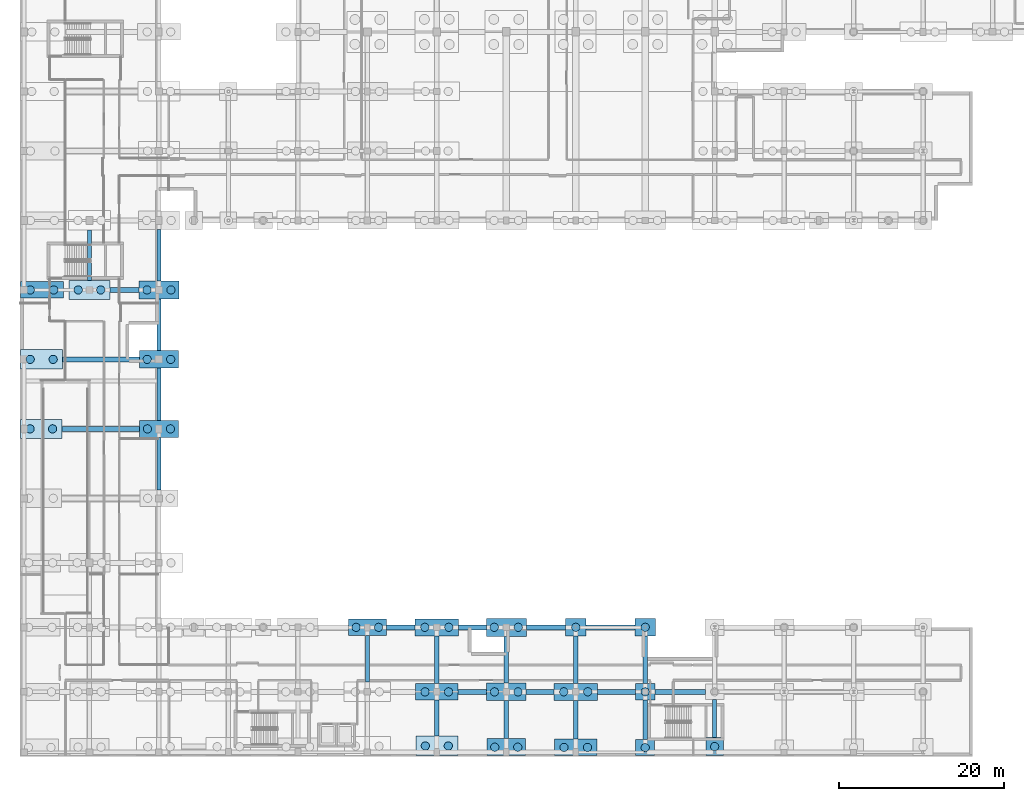
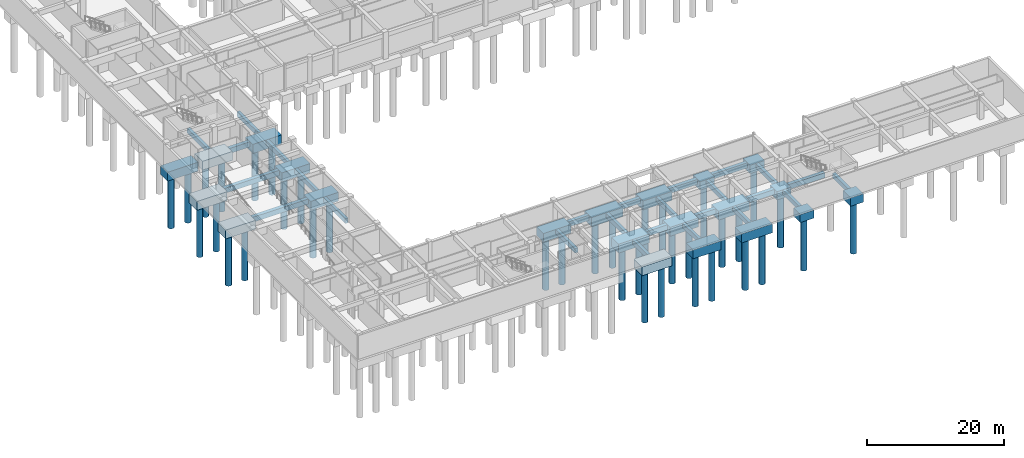
# One storey, part 2 of 42: 47 footings, 37 piles.
"""IFC4 building model written with IfcOpenShell, lengths in metres."""

import ifcopenshell
import ifcopenshell.guid

model = None  # the IFC model being written
_history = None  # IfcOwnerHistory: only IFC2X3 demands one
_inside = {}  # id of a spatial element -> (the spatial element, [elements in it])
_under = {}  # id of a project, library or spatial element -> (it, [spatial elements below it])
_declared = {}  # id of a project -> (the project, [libraries it declares])
_typed = {}  # id of a type object -> (the type object, [elements of that type])
_made_of = {}  # id of a material, layer set ... -> (it, [elements and type objects made of it])


def new_model(schema):
    """Start an empty IFC model of exactly this schema.

    Asked for "IFC4X3", IfcOpenShell would pick the latest addendum, in which some entities
    have other attributes; the version numbers below select the first issue.
    IFC2X3 requires an IfcOwnerHistory on every rooted entity: one is made here for all.
    """
    global model, _history
    if schema == "IFC4X3":
        model = ifcopenshell.file(schema_version=(4, 3, 0, 0))
    else:
        model = ifcopenshell.file(schema=schema)
    _inside.clear()
    _under.clear()
    _declared.clear()
    _typed.clear()
    _made_of.clear()
    _history = None
    if model.schema == "IFC2X3":
        org = make("IfcOrganization", Name="unknown")
        user = make(
            "IfcPersonAndOrganization",
            ThePerson=make("IfcPerson", FamilyName="unknown"),
            TheOrganization=org,
        )
        app = make(
            "IfcApplication",
            ApplicationDeveloper=org,
            Version="unknown",
            ApplicationFullName="unknown",
            ApplicationIdentifier="unknown",
        )
        _history = make(
            "IfcOwnerHistory",
            OwningUser=user,
            OwningApplication=app,
            ChangeAction="ADDED",
            CreationDate=0,
        )
    return model


def make(cls, **values):
    """One entity of the class cls with the attributes given. An attribute that is None is left unset."""
    return model.create_entity(
        cls, **{name: value for name, value in values.items() if value is not None}
    )


def rooted(cls, **values):
    """An entity with a GlobalId (a new one), such as an element, a storey or a relation."""
    return make(cls, GlobalId=ifcopenshell.guid.new(), OwnerHistory=_history, **values)


def si_unit(unit_type, name, prefix=None):
    """IfcSIUnit, for example si_unit("LENGTHUNIT", "METRE", prefix="MILLI")."""
    return make("IfcSIUnit", UnitType=unit_type, Prefix=prefix, Name=name)


def assignment(units):
    """IfcUnitAssignment: the units of a project."""
    return None if units is None else make("IfcUnitAssignment", Units=units)


def point(xyz):
    """IfcCartesianPoint."""
    return None if xyz is None else make("IfcCartesianPoint", Coordinates=xyz)


def direction(xyz):
    """IfcDirection."""
    return None if xyz is None else make("IfcDirection", DirectionRatios=xyz)


def frame(location, z_axis=None, x_axis=None):
    """IfcAxis2Placement3D, a coordinate frame: its origin and axes. An axis left out is left unset."""
    return make(
        "IfcAxis2Placement3D",
        Location=point(location),
        Axis=direction(z_axis),
        RefDirection=direction(x_axis),
    )


def frame_2d(location, x_axis=None):
    """IfcAxis2Placement2D, a coordinate frame in the plane: its origin and x axis."""
    return make(
        "IfcAxis2Placement2D", Location=point(location), RefDirection=direction(x_axis)
    )


def origin():
    """The frame at (0, 0, 0) with its axes left unset."""
    return frame((0.0, 0.0, 0.0))


def origin_2d():
    """The frame at (0, 0) in the plane with its x axis left unset."""
    return frame_2d((0.0, 0.0))


def place(relative_to, where):
    """IfcLocalPlacement: puts the frame where relative to a parent placement (None: the world)."""
    return make(
        "IfcLocalPlacement", PlacementRelTo=relative_to, RelativePlacement=where
    )


def context(
    kind, dimensions, precision=None, world=None, true_north=None, identifier=None
):
    """IfcGeometricRepresentationContext, for example the 3D "Model" context."""
    return make(
        "IfcGeometricRepresentationContext",
        ContextIdentifier=identifier,
        ContextType=kind,
        CoordinateSpaceDimension=dimensions,
        Precision=precision,
        WorldCoordinateSystem=world,
        TrueNorth=true_north,
    )


def subcontext(parent, identifier, kind, view, scale=None):
    """IfcGeometricRepresentationSubContext, for example "Body" below "Model"."""
    return make(
        "IfcGeometricRepresentationSubContext",
        ContextIdentifier=identifier,
        ContextType=kind,
        ParentContext=parent,
        TargetScale=scale,
        TargetView=view,
    )


def project(units=None, contexts=None):
    """IfcProject with its units and contexts."""
    return rooted(
        "IfcProject",
        Name="project",
        RepresentationContexts=contexts,
        UnitsInContext=assignment(units),
    )


def spatial(cls, under=None, at=None, **own):
    """A site, building, storey or space (cls), placed at a placement, below another one or the project."""
    s = rooted(cls, ObjectPlacement=at, **own)
    if under is not None:
        _under.setdefault(under.id(), (under, []))[1].append(s)
    return s


def profile(cls, at=None, kind="AREA", **sizes):
    """A parametric profile (cls). Its sizes go by their IFC names, for example OverallWidth=200.0."""
    return make(cls, ProfileType=kind, Position=at, **sizes)


def rectangle(**sizes):
    """IfcRectangleProfileDef."""
    return profile("IfcRectangleProfileDef", **sizes)


def circle(**sizes):
    """IfcCircleProfileDef."""
    return profile("IfcCircleProfileDef", **sizes)


def extrude(swept, where, along, depth):
    """IfcExtrudedAreaSolid: the profile swept, set in the frame where, extruded along a direction by depth."""
    return make(
        "IfcExtrudedAreaSolid",
        SweptArea=swept,
        Position=where,
        ExtrudedDirection=direction(along),
        Depth=depth,
    )


def shape(context_of_items, identifier, shape_type, items):
    """IfcShapeRepresentation: the items that make up one representation, for example the "Body"."""
    return make(
        "IfcShapeRepresentation",
        ContextOfItems=context_of_items,
        RepresentationIdentifier=identifier,
        RepresentationType=shape_type,
        Items=items,
    )


def material(Name=None, Category=None):
    """IfcMaterial."""
    return make("IfcMaterial", Name=Name, Category=Category)


def material_profile(
    of_material, cross_section, Name=None, Category=None, Priority=None
):
    """IfcMaterialProfile: a cross section and its material."""
    return make(
        "IfcMaterialProfile",
        Name=Name,
        Material=of_material,
        Profile=cross_section,
        Priority=Priority,
        Category=Category,
    )


def profile_set(profiles, Name=None, composite=None):
    """IfcMaterialProfileSet."""
    return make(
        "IfcMaterialProfileSet",
        Name=Name,
        MaterialProfiles=profiles,
        CompositeProfile=composite,
    )


def made_of(thing, what):
    """Note that an element or type object is made of a material, layer set ...; save() writes the relation."""
    if what is not None:
        _made_of.setdefault(what.id(), (what, []))[1].append(thing)
    return thing


def type_object(cls, material=None, **own):
    """A type object (cls), such as IfcWallType, which elements share."""
    return made_of(rooted(cls, **own), material)


def element(
    cls,
    number,
    at=None,
    inside=None,
    cuts=None,
    type_object=None,
    material=None,
    context=None,
    identifier="Body",
    shape_type=None,
    held_by="IfcProductDefinitionShape",
    body=None,
    shapes=None,
    **own,
):
    """One element of the class cls, such as IfcWall. Its Tag is "e" and its number.

    at: its placement. inside: the storey or other place that contains it. cuts: it is an
    opening in that element (IfcRelVoidsElement). A single representation is given by context,
    identifier, shape_type and body (its items); several are given by shapes. held_by: the class
    of the entity that holds the representations. save() writes the other relations.
    """
    e = rooted(cls, Tag="e%d" % number, ObjectPlacement=at, **own)
    if body is not None:
        shapes = [shape(context, identifier, shape_type, body)]
    if shapes is not None:
        e.Representation = make(held_by, Representations=shapes)
    if inside is not None:
        _inside.setdefault(inside.id(), (inside, []))[1].append(e)
    if cuts is not None:
        rooted(
            "IfcRelVoidsElement", RelatingBuildingElement=cuts, RelatedOpeningElement=e
        )
    if type_object is not None:
        _typed.setdefault(type_object.id(), (type_object, []))[1].append(e)
    return made_of(e, material)


def aggregate(whole, parts):
    """IfcRelAggregates: a whole, such as a stair, and the parts it consists of."""
    return rooted("IfcRelAggregates", RelatingObject=whole, RelatedObjects=parts)


def save(model, path):
    """Write the relations noted so far, then the file.

    IfcRelAggregates (storeys below a building ...), IfcRelContainedInSpatialStructure (elements
    in a storey), IfcRelDefinesByType, IfcRelAssociatesMaterial and IfcRelDeclares: one each for
    every whole, place, type object, material and project.
    """
    for whole, parts in _under.values():
        aggregate(whole, parts)
    for where, things in _inside.values():
        rooted(
            "IfcRelContainedInSpatialStructure",
            RelatedElements=things,
            RelatingStructure=where,
        )
    for kind, things in _typed.values():
        rooted("IfcRelDefinesByType", RelatedObjects=things, RelatingType=kind)
    for what, things in _made_of.values():
        rooted("IfcRelAssociatesMaterial", RelatedObjects=things, RelatingMaterial=what)
    for by, libraries in _declared.values():
        rooted("IfcRelDeclares", RelatingContext=by, RelatedDefinitions=libraries)
    model.write(path)


model = new_model("IFC4")

# Units and contexts
model_context = context("Model", 3, precision=1e-05, world=origin(), true_north=direction((0.0, 1.0)))
body_context = subcontext(model_context, "Body", "Model", "MODEL_VIEW")
ifc_project = project(units=[si_unit("LENGTHUNIT", "METRE"), si_unit("AREAUNIT", "SQUARE_METRE"), si_unit("VOLUMEUNIT", "CUBIC_METRE"), si_unit("PLANEANGLEUNIT", "RADIAN"), si_unit("MASSUNIT", "GRAM", prefix="KILO")], contexts=[model_context])

# Site, building, storey
site_placement = place(None, origin())
site = spatial("IfcSite", under=ifc_project, at=site_placement, CompositionType="ELEMENT")
building_placement = place(site_placement, origin())
building = spatial("IfcBuilding", under=site, at=building_placement, Name="Quendrovan Civic Courthouse", CompositionType="ELEMENT")
storey_placement = place(building_placement, frame((0.0, 0.0, -4.5)))
storey = spatial("IfcBuildingStorey", under=building, at=storey_placement, Name="B1", CompositionType="ELEMENT", Elevation=-4.5)

# Footings
ifc_material = material(Name="Concrete C35/45", Category="concrete")
footing_type_1 = type_object("IfcFootingType", Name="FTG-PC1-214x220x149", PredefinedType="PILE_CAP", material=ifc_material)
footing_1_placement = place(storey_placement, frame((84.0, 1.179931640625, -1.7900390625), z_axis=(0.0, 0.0, 1.0), x_axis=(1.0, 0.0, 0.0)))
element("IfcFooting", 1, at=footing_1_placement, inside=storey, type_object=footing_type_1, Name="Pile Cap PC1-04 at 11-A", PredefinedType="PILE_CAP", context=body_context, shape_type="SweptSolid", body=[
    extrude(rectangle(XDim=2.139892578125, YDim=2.199951171875, at=origin_2d()), origin(), (0.0, 0.0, 1.0), 1.489990234375),
])
footing_type_2 = type_object("IfcFootingType", Name="FTG-PC1-229x196x143", PredefinedType="PILE_CAP", material=ifc_material)
footing_2_placement = place(storey_placement, frame((75.60009765625, 1.06005859375, -1.72998046875), z_axis=(0.0, 0.0, 1.0), x_axis=(1.0, 0.0, 0.0)))
element("IfcFooting", 2, at=footing_2_placement, inside=storey, type_object=footing_type_2, Name="Pile Cap PC1-06 at 10-A", PredefinedType="PILE_CAP", context=body_context, shape_type="SweptSolid", body=[
    extrude(rectangle(XDim=2.300048828125, YDim=1.9599609375, at=origin_2d()), origin(), (0.0, 0.0, 1.0), 1.429931640625),
])
footing_type_3 = type_object("IfcFootingType", Name="FTG-PC1-238x202x146", PredefinedType="PILE_CAP", material=ifc_material)
footing_3_placement = place(storey_placement, frame((75.60009765625, 7.800048828125, -1.760009765625), z_axis=(0.0, 0.0, 1.0), x_axis=(1.0, 0.0, 0.0)))
element("IfcFooting", 3, at=footing_3_placement, inside=storey, type_object=footing_type_3, Name="Pile Cap PC1-07 at 10-B", PredefinedType="PILE_CAP", context=body_context, shape_type="SweptSolid", body=[
    extrude(rectangle(XDim=2.3798828125, YDim=2.02001953125, at=origin_2d()), origin(), (0.0, 0.0, 1.0), 1.4599609375),
])
footing_type_4 = type_object("IfcFootingType", Name="FTG-PC1-246x208x149", PredefinedType="PILE_CAP", material=ifc_material)
for number, where, z_axis, x_axis, name in (
    (4, (67.199951171875, 15.60009765625, -1.7900390625), (0.0, 0.0, 1.0), (1.0, 0.0, 0.0), "Pile Cap PC1-08 at 9-C"),
    (5, (75.60009765625, 15.60009765625, -1.7900390625), (0.0, 0.0, 1.0), (1.0, 0.0, 0.0), "Pile Cap PC1-08 at 10-C"),
):
    element("IfcFooting", number, at=place(storey_placement, frame(where, z_axis=z_axis, x_axis=x_axis)), inside=storey, type_object=footing_type_4, Name=name, PredefinedType="PILE_CAP", context=body_context, shape_type="SweptSolid", body=[
        extrude(rectangle(XDim=2.4599609375, YDim=2.080078125, at=origin_2d()), origin(), (0.0, 0.0, 1.0), 1.489990234375),
    ])
footing_type_5 = type_object("IfcFootingType", Name="FTG-PC2-459x200x155", PredefinedType="PILE_CAP", material=ifc_material)
footing_4_placement = place(storey_placement, frame((42.0, 15.60009765625, -1.85009765625), z_axis=(0.0, 0.0, 1.0), x_axis=(1.0, 0.0, 0.0)))
element("IfcFooting", 6, at=footing_4_placement, inside=storey, type_object=footing_type_5, Name="Pile Cap PC2-01 at 6-C", PredefinedType="PILE_CAP", context=body_context, shape_type="SweptSolid", body=[
    extrude(rectangle(XDim=4.60009765625, YDim=2.0, at=origin_2d()), origin(), (0.0, 0.0, 1.0), 1.550048828125),
])
footing_type_6 = type_object("IfcFootingType", Name="FTG-PC2-468x206x157", PredefinedType="PILE_CAP", material=ifc_material)
for number, where, z_axis, x_axis, name in (
    (7, (16.800048828125, 39.60009765625, -1.8701171875), (0.0, 0.0, 1.0), (1.0, 0.0, 0.0), "Pile Cap PC2-02 at 3-F"),
    (8, (58.800048828125, 1.110107421875, -1.8701171875), (0.0, 0.0, 1.0), (1.0, 0.0, 0.0), "Pile Cap PC2-02 at 8-A"),
):
    element("IfcFooting", number, at=place(storey_placement, frame(where, z_axis=z_axis, x_axis=x_axis)), inside=storey, type_object=footing_type_6, Name=name, PredefinedType="PILE_CAP", context=body_context, shape_type="SweptSolid", body=[
        extrude(rectangle(XDim=4.679931640625, YDim=2.06005859375, at=origin_2d()), origin(), (0.0, 0.0, 1.0), 1.570068359375),
    ])
footing_type_7 = type_object("IfcFootingType", Name="FTG-PC2-476x212x159", PredefinedType="PILE_CAP", material=ifc_material)
for number, where, z_axis, x_axis, name in (
    (9, (16.800048828125, 48.0, -1.89013671875), (0.0, 0.0, 1.0), (1.0, 0.0, 0.0), "Pile Cap PC2-03 at 3-G"),
    (10, (58.800048828125, 7.800048828125, -1.89013671875), (0.0, 0.0, 1.0), (1.0, 0.0, 0.0), "Pile Cap PC2-03 at 8-B"),
):
    element("IfcFooting", number, at=place(storey_placement, frame(where, z_axis=z_axis, x_axis=x_axis)), inside=storey, type_object=footing_type_7, Name=name, PredefinedType="PILE_CAP", context=body_context, shape_type="SweptSolid", body=[
        extrude(rectangle(XDim=4.760009765625, YDim=2.1201171875, at=origin_2d()), origin(), (0.0, 0.0, 1.0), 1.590087890625),
    ])
footing_type_8 = type_object("IfcFootingType", Name="FTG-PC2-484x218x161", PredefinedType="PILE_CAP", material=ifc_material)
for number, where, z_axis, x_axis, name in (
    (11, (16.800048828125, 56.39990234375, -1.91015625), (0.0, 0.0, 1.0), (1.0, 0.0, 0.0), "Pile Cap PC2-04 at 3-H"),
    (12, (58.800048828125, 15.60009765625, -1.91015625), (0.0, 0.0, 1.0), (1.0, 0.0, 0.0), "Pile Cap PC2-04 at 8-C"),
):
    element("IfcFooting", number, at=place(storey_placement, frame(where, z_axis=z_axis, x_axis=x_axis)), inside=storey, type_object=footing_type_8, Name=name, PredefinedType="PILE_CAP", context=body_context, shape_type="SweptSolid", body=[
        extrude(rectangle(XDim=4.840087890625, YDim=2.179931640625, at=origin_2d()), origin(), (0.0, 0.0, 1.0), 1.610107421875),
    ])
footing_type_9 = type_object("IfcFootingType", Name="FTG-PC2-500x229x155", PredefinedType="PILE_CAP", material=ifc_material)
for number, where, z_axis, x_axis, name in (
    (13, (2.580078125, 39.60009765625, -1.85009765625), (0.0, 0.0, 1.0), (1.0, 0.0, 0.0), "Pile Cap PC2-06 at 1-F"),
    (14, (8.39990234375, 56.39990234375, -1.85009765625), (0.0, 0.0, 1.0), (1.0, 0.0, 0.0), "Pile Cap PC2-06 at 2-H"),
):
    element("IfcFooting", number, at=place(storey_placement, frame(where, z_axis=z_axis, x_axis=x_axis)), inside=storey, type_object=footing_type_9, Name=name, PredefinedType="PILE_CAP", context=body_context, shape_type="SweptSolid", body=[
        extrude(rectangle(XDim=5.0, YDim=2.300048828125, at=origin_2d()), origin(), (0.0, 0.0, 1.0), 1.550048828125),
    ])
footing_type_10 = type_object("IfcFootingType", Name="FTG-PC2-508x236x157", PredefinedType="PILE_CAP", material=ifc_material)
for number, where, z_axis, x_axis, name in (
    (15, (2.6201171875, 48.0, -1.8701171875), (0.0, 0.0, 1.0), (1.0, 0.0, 0.0), "Pile Cap PC2-07 at 1-G"),
    (16, (50.39990234375, 1.260009765625, -1.8701171875), (0.0, 0.0, 1.0), (1.0, 0.0, 0.0), "Pile Cap PC2-07 at 7-A"),
):
    element("IfcFooting", number, at=place(storey_placement, frame(where, z_axis=z_axis, x_axis=x_axis)), inside=storey, type_object=footing_type_10, Name=name, PredefinedType="PILE_CAP", context=body_context, shape_type="SweptSolid", body=[
        extrude(rectangle(XDim=5.080078125, YDim=2.360107421875, at=origin_2d()), origin(), (0.0, 0.0, 1.0), 1.570068359375),
    ])
footing_type_11 = type_object("IfcFootingType", Name="FTG-PC2-516x200x159", PredefinedType="PILE_CAP", material=ifc_material)
for number, where, z_axis, x_axis, name in (
    (17, (2.659912109375, 56.39990234375, -1.89013671875), (0.0, 0.0, 1.0), (1.0, 0.0, 0.0), "Pile Cap PC2-08 at 1-H"),
    (18, (50.39990234375, 7.800048828125, -1.89013671875), (0.0, 0.0, 1.0), (1.0, 0.0, 0.0), "Pile Cap PC2-08 at 7-B"),
    (19, (67.199951171875, 1.080078125, -1.89013671875), (0.0, 0.0, 1.0), (1.0, 0.0, 0.0), "Pile Cap PC2-08 at 9-A"),
):
    element("IfcFooting", number, at=place(storey_placement, frame(where, z_axis=z_axis, x_axis=x_axis)), inside=storey, type_object=footing_type_11, Name=name, PredefinedType="PILE_CAP", context=body_context, shape_type="SweptSolid", body=[
        extrude(rectangle(XDim=5.159912109375, YDim=2.0, at=origin_2d()), origin(), (0.0, 0.0, 1.0), 1.590087890625),
    ])
footing_type_12 = type_object("IfcFootingType", Name="FTG-PC2-524x206x161", PredefinedType="PILE_CAP", material=ifc_material)
for number, where, z_axis, x_axis, name in (
    (20, (50.39990234375, 15.60009765625, -1.91015625), (0.0, 0.0, 1.0), (1.0, 0.0, 0.0), "Pile Cap PC2-09 at 7-C"),
    (21, (67.199951171875, 7.800048828125, -1.91015625), (0.0, 0.0, 1.0), (1.0, 0.0, 0.0), "Pile Cap PC2-09 at 9-B"),
):
    element("IfcFooting", number, at=place(storey_placement, frame(where, z_axis=z_axis, x_axis=x_axis)), inside=storey, type_object=footing_type_12, Name=name, PredefinedType="PILE_CAP", context=body_context, shape_type="SweptSolid", body=[
        extrude(rectangle(XDim=5.239990234375, YDim=2.06005859375, at=origin_2d()), origin(), (0.0, 0.0, 1.0), 1.610107421875),
    ])
footing_type_13 = type_object("IfcFootingType", Name="FTG-TBX-3400", PredefinedType="FOOTING_BEAM", material=ifc_material)
footing_5_placement = place(storey_placement, frame((54.699951171875, 7.800048828125, -1.199951171875), z_axis=(0.0, 0.0, 1.0), x_axis=(1.0, 0.0, 0.0)))
element("IfcFooting", 22, at=footing_5_placement, inside=storey, type_object=footing_type_13, Name="Seismic Tie Beam TB-X-008", PredefinedType="FOOTING_BEAM", context=body_context, shape_type="SweptSolid", body=[
    extrude(rectangle(XDim=3.43994140625, YDim=0.60009765625, at=origin_2d()), origin(), (0.0, 0.0, 1.0), 0.89990234375),
])
footing_6_placement = place(storey_placement, frame((62.8798828125, 7.800048828125, -1.199951171875), z_axis=(0.0, 0.0, 1.0), x_axis=(1.0, 0.0, 0.0)))
element("IfcFooting", 23, at=footing_6_placement, inside=storey, type_object=footing_type_13, Name="Seismic Tie Beam TB-X-009", PredefinedType="FOOTING_BEAM", context=body_context, shape_type="SweptSolid", body=[
    extrude(rectangle(XDim=3.39990234375, YDim=0.60009765625, at=origin_2d()), origin(), (0.0, 0.0, 1.0), 0.89990234375),
])
footing_7_placement = place(storey_placement, frame((46.0400390625, 15.60009765625, -1.199951171875), z_axis=(0.0, 0.0, 1.0), x_axis=(1.0, 0.0, 0.0)))
element("IfcFooting", 24, at=footing_7_placement, inside=storey, type_object=footing_type_13, Name="Seismic Tie Beam TB-X-017", PredefinedType="FOOTING_BEAM", context=body_context, shape_type="SweptSolid", body=[
    extrude(rectangle(XDim=3.47998046875, YDim=0.60009765625, at=origin_2d()), origin(), (0.0, 0.0, 1.0), 0.89990234375),
])
footing_8_placement = place(storey_placement, frame((54.699951171875, 15.60009765625, -1.199951171875), z_axis=(0.0, 0.0, 1.0), x_axis=(1.0, 0.0, 0.0)))
element("IfcFooting", 25, at=footing_8_placement, inside=storey, type_object=footing_type_13, Name="Seismic Tie Beam TB-X-018", PredefinedType="FOOTING_BEAM", context=body_context, shape_type="SweptSolid", body=[
    extrude(rectangle(XDim=3.360107421875, YDim=0.60009765625, at=origin_2d()), origin(), (0.0, 0.0, 1.0), 0.89990234375),
])
footing_9_placement = place(storey_placement, frame((12.639892578125, 56.39990234375, -1.199951171875), z_axis=(0.0, 0.0, 1.0), x_axis=(1.0, 0.0, 0.0)))
element("IfcFooting", 26, at=footing_9_placement, inside=storey, type_object=footing_type_13, Name="Seismic Tie Beam TB-X-028", PredefinedType="FOOTING_BEAM", context=body_context, shape_type="SweptSolid", body=[
    extrude(rectangle(XDim=3.47998046875, YDim=0.60009765625, at=origin_2d()), origin(), (0.0, 0.0, 1.0), 0.89990234375),
])
footing_type_14 = type_object("IfcFootingType", Name="FTG-TBX-4600", PredefinedType="FOOTING_BEAM", material=ifc_material)
footing_10_placement = place(storey_placement, frame((72.114990234375, 7.800048828125, -1.199951171875), z_axis=(0.0, 0.0, 1.0), x_axis=(1.0, 0.0, 0.0)))
element("IfcFooting", 27, at=footing_10_placement, inside=storey, type_object=footing_type_14, Name="Seismic Tie Beam TB-X-010", PredefinedType="FOOTING_BEAM", context=body_context, shape_type="SweptSolid", body=[
    extrude(rectangle(XDim=4.590087890625, YDim=0.60009765625, at=origin_2d()), origin(), (0.0, 0.0, 1.0), 0.89990234375),
])
footing_type_15 = type_object("IfcFootingType", Name="FTG-TBX-4800", PredefinedType="FOOTING_BEAM", material=ifc_material)
footing_11_placement = place(storey_placement, frame((63.594970703125, 15.60009765625, -1.199951171875), z_axis=(0.0, 0.0, 1.0), x_axis=(1.0, 0.0, 0.0)))
element("IfcFooting", 28, at=footing_11_placement, inside=storey, type_object=footing_type_15, Name="Seismic Tie Beam TB-X-019", PredefinedType="FOOTING_BEAM", context=body_context, shape_type="SweptSolid", body=[
    extrude(rectangle(XDim=4.75, YDim=0.60009765625, at=origin_2d()), origin(), (0.0, 0.0, 1.0), 0.89990234375),
])
footing_type_16 = type_object("IfcFootingType", Name="FTG-TBX-6000", PredefinedType="FOOTING_BEAM", material=ifc_material)
footing_12_placement = place(storey_placement, frame((71.39990234375, 15.60009765625, -1.199951171875), z_axis=(0.0, 0.0, 1.0), x_axis=(1.0, 0.0, 0.0)))
element("IfcFooting", 29, at=footing_12_placement, inside=storey, type_object=footing_type_16, Name="Seismic Tie Beam TB-X-020", PredefinedType="FOOTING_BEAM", context=body_context, shape_type="SweptSolid", body=[
    extrude(rectangle(XDim=5.93994140625, YDim=0.60009765625, at=origin_2d()), origin(), (0.0, 0.0, 1.0), 0.89990234375),
])
footing_type_17 = type_object("IfcFootingType", Name="FTG-TBX-6200", PredefinedType="FOOTING_BEAM", material=ifc_material)
footing_13_placement = place(storey_placement, frame((79.840087890625, 7.800048828125, -1.199951171875), z_axis=(0.0, 0.0, 1.0), x_axis=(1.0, 0.0, 0.0)))
element("IfcFooting", 30, at=footing_13_placement, inside=storey, type_object=footing_type_17, Name="Seismic Tie Beam TB-X-011", PredefinedType="FOOTING_BEAM", context=body_context, shape_type="SweptSolid", body=[
    extrude(rectangle(XDim=6.10009765625, YDim=0.60009765625, at=origin_2d()), origin(), (0.0, 0.0, 1.0), 0.89990234375),
])
footing_type_18 = type_object("IfcFootingType", Name="FTG-TBX-9200", PredefinedType="FOOTING_BEAM", material=ifc_material)
footing_14_placement = place(storey_placement, frame((9.7900390625, 48.0, -1.199951171875), z_axis=(0.0, 0.0, 1.0), x_axis=(1.0, 0.0, 0.0)))
element("IfcFooting", 31, at=footing_14_placement, inside=storey, type_object=footing_type_18, Name="Seismic Tie Beam TB-X-027", PredefinedType="FOOTING_BEAM", context=body_context, shape_type="SweptSolid", body=[
    extrude(rectangle(XDim=9.260009765625, YDim=0.60009765625, at=origin_2d()), origin(), (0.0, 0.0, 1.0), 0.89990234375),
])
footing_type_19 = type_object("IfcFootingType", Name="FTG-TBX-9400", PredefinedType="FOOTING_BEAM", material=ifc_material)
footing_15_placement = place(storey_placement, frame((9.77001953125, 39.60009765625, -1.199951171875), z_axis=(0.0, 0.0, 1.0), x_axis=(1.0, 0.0, 0.0)))
element("IfcFooting", 32, at=footing_15_placement, inside=storey, type_object=footing_type_19, Name="Seismic Tie Beam TB-X-026", PredefinedType="FOOTING_BEAM", context=body_context, shape_type="SweptSolid", body=[
    extrude(rectangle(XDim=9.3798828125, YDim=0.60009765625, at=origin_2d()), origin(), (0.0, 0.0, 1.0), 0.89990234375),
])
footing_type_20 = type_object("IfcFootingType", Name="FTG-TBY-4400", PredefinedType="FOOTING_BEAM", material=ifc_material)
footing_16_placement = place(storey_placement, frame((50.39990234375, 4.6201171875, -1.10009765625), z_axis=(0.0, 0.0, 1.0), x_axis=(1.0, 0.0, 0.0)))
element("IfcFooting", 33, at=footing_16_placement, inside=storey, type_object=footing_type_20, Name="Seismic Tie Beam TB-Y-125", PredefinedType="FOOTING_BEAM", context=body_context, shape_type="SweptSolid", body=[
    extrude(rectangle(XDim=0.5, YDim=4.360107421875, at=origin_2d()), origin(), (0.0, 0.0, 1.0), 0.800048828125),
])
footing_type_21 = type_object("IfcFootingType", Name="FTG-TBY-4600", PredefinedType="FOOTING_BEAM", material=ifc_material)
footing_17_placement = place(storey_placement, frame((58.800048828125, 4.43994140625, -1.10009765625), z_axis=(0.0, 0.0, 1.0), x_axis=(1.0, 0.0, 0.0)))
element("IfcFooting", 34, at=footing_17_placement, inside=storey, type_object=footing_type_21, Name="Seismic Tie Beam TB-Y-131", PredefinedType="FOOTING_BEAM", context=body_context, shape_type="SweptSolid", body=[
    extrude(rectangle(XDim=0.5, YDim=4.60009765625, at=origin_2d()), origin(), (0.0, 0.0, 1.0), 0.800048828125),
])
footing_18_placement = place(storey_placement, frame((67.199951171875, 4.425048828125, -1.10009765625), z_axis=(0.0, 0.0, 1.0), x_axis=(1.0, 0.0, 0.0)))
element("IfcFooting", 35, at=footing_18_placement, inside=storey, type_object=footing_type_21, Name="Seismic Tie Beam TB-Y-133", PredefinedType="FOOTING_BEAM", context=body_context, shape_type="SweptSolid", body=[
    extrude(rectangle(XDim=0.5, YDim=4.68994140625, at=origin_2d()), origin(), (0.0, 0.0, 1.0), 0.800048828125),
])
footing_19_placement = place(storey_placement, frame((84.0, 4.56494140625, -1.10009765625), z_axis=(0.0, 0.0, 1.0), x_axis=(1.0, 0.0, 0.0)))
element("IfcFooting", 36, at=footing_19_placement, inside=storey, type_object=footing_type_21, Name="Seismic Tie Beam TB-Y-139", PredefinedType="FOOTING_BEAM", context=body_context, shape_type="SweptSolid", body=[
    extrude(rectangle(XDim=0.5, YDim=4.570068359375, at=origin_2d()), origin(), (0.0, 0.0, 1.0), 0.800048828125),
])
footing_type_22 = type_object("IfcFootingType", Name="FTG-TBY-4800", PredefinedType="FOOTING_BEAM", material=ifc_material)
footing_20_placement = place(storey_placement, frame((75.60009765625, 4.4150390625, -1.10009765625), z_axis=(0.0, 0.0, 1.0), x_axis=(1.0, 0.0, 0.0)))
element("IfcFooting", 37, at=footing_20_placement, inside=storey, type_object=footing_type_22, Name="Seismic Tie Beam TB-Y-137", PredefinedType="FOOTING_BEAM", context=body_context, shape_type="SweptSolid", body=[
    extrude(rectangle(XDim=0.5, YDim=4.75, at=origin_2d()), origin(), (0.0, 0.0, 1.0), 0.800048828125),
])
footing_type_23 = type_object("IfcFootingType", Name="FTG-TBY-5600", PredefinedType="FOOTING_BEAM", material=ifc_material)
footing_21_placement = place(storey_placement, frame((42.0, 11.7900390625, -1.10009765625), z_axis=(0.0, 0.0, 1.0), x_axis=(1.0, 0.0, 0.0)))
element("IfcFooting", 38, at=footing_21_placement, inside=storey, type_object=footing_type_23, Name="Seismic Tie Beam TB-Y-121", PredefinedType="FOOTING_BEAM", context=body_context, shape_type="SweptSolid", body=[
    extrude(rectangle(XDim=0.5, YDim=5.6201171875, at=origin_2d()), origin(), (0.0, 0.0, 1.0), 0.800048828125),
])
footing_22_placement = place(storey_placement, frame((58.800048828125, 11.68505859375, -1.10009765625), z_axis=(0.0, 0.0, 1.0), x_axis=(1.0, 0.0, 0.0)))
element("IfcFooting", 39, at=footing_22_placement, inside=storey, type_object=footing_type_23, Name="Seismic Tie Beam TB-Y-132", PredefinedType="FOOTING_BEAM", context=body_context, shape_type="SweptSolid", body=[
    extrude(rectangle(XDim=0.5, YDim=5.64990234375, at=origin_2d()), origin(), (0.0, 0.0, 1.0), 0.800048828125),
])
footing_type_24 = type_object("IfcFootingType", Name="FTG-TBY-5800", PredefinedType="FOOTING_BEAM", material=ifc_material)
footing_23_placement = place(storey_placement, frame((50.39990234375, 11.68505859375, -1.10009765625), z_axis=(0.0, 0.0, 1.0), x_axis=(1.0, 0.0, 0.0)))
element("IfcFooting", 40, at=footing_23_placement, inside=storey, type_object=footing_type_24, Name="Seismic Tie Beam TB-Y-126", PredefinedType="FOOTING_BEAM", context=body_context, shape_type="SweptSolid", body=[
    extrude(rectangle(XDim=0.5, YDim=5.77001953125, at=origin_2d()), origin(), (0.0, 0.0, 1.0), 0.800048828125),
])
footing_24_placement = place(storey_placement, frame((67.199951171875, 11.695068359375, -1.10009765625), z_axis=(0.0, 0.0, 1.0), x_axis=(1.0, 0.0, 0.0)))
element("IfcFooting", 41, at=footing_24_placement, inside=storey, type_object=footing_type_24, Name="Seismic Tie Beam TB-Y-134", PredefinedType="FOOTING_BEAM", context=body_context, shape_type="SweptSolid", body=[
    extrude(rectangle(XDim=0.5, YDim=5.72998046875, at=origin_2d()), origin(), (0.0, 0.0, 1.0), 0.800048828125),
])
footing_25_placement = place(storey_placement, frame((75.60009765625, 11.68505859375, -1.10009765625), z_axis=(0.0, 0.0, 1.0), x_axis=(1.0, 0.0, 0.0)))
element("IfcFooting", 42, at=footing_25_placement, inside=storey, type_object=footing_type_24, Name="Seismic Tie Beam TB-Y-138", PredefinedType="FOOTING_BEAM", context=body_context, shape_type="SweptSolid", body=[
    extrude(rectangle(XDim=0.5, YDim=5.75, at=origin_2d()), origin(), (0.0, 0.0, 1.0), 0.800048828125),
])
footing_type_25 = type_object("IfcFootingType", Name="FTG-TBY-6000", PredefinedType="FOOTING_BEAM", material=ifc_material)
footing_26_placement = place(storey_placement, frame((8.39990234375, 60.5849609375, -1.10009765625), z_axis=(0.0, 0.0, 1.0), x_axis=(1.0, 0.0, 0.0)))
element("IfcFooting", 43, at=footing_26_placement, inside=storey, type_object=footing_type_25, Name="Seismic Tie Beam TB-Y-093", PredefinedType="FOOTING_BEAM", context=body_context, shape_type="SweptSolid", body=[
    extrude(rectangle(XDim=0.5, YDim=6.070068359375, at=origin_2d()), origin(), (0.0, 0.0, 1.0), 0.800048828125),
])
footing_type_26 = type_object("IfcFootingType", Name="FTG-TBY-6200", PredefinedType="FOOTING_BEAM", material=ifc_material)
footing_27_placement = place(storey_placement, frame((16.800048828125, 52.18505859375, -1.10009765625), z_axis=(0.0, 0.0, 1.0), x_axis=(1.0, 0.0, 0.0)))
element("IfcFooting", 44, at=footing_27_placement, inside=storey, type_object=footing_type_26, Name="Seismic Tie Beam TB-Y-102", PredefinedType="FOOTING_BEAM", context=body_context, shape_type="SweptSolid", body=[
    extrude(rectangle(XDim=0.5, YDim=6.25, at=origin_2d()), origin(), (0.0, 0.0, 1.0), 0.800048828125),
])
footing_28_placement = place(storey_placement, frame((16.800048828125, 60.5849609375, -1.10009765625), z_axis=(0.0, 0.0, 1.0), x_axis=(1.0, 0.0, 0.0)))
element("IfcFooting", 45, at=footing_28_placement, inside=storey, type_object=footing_type_26, Name="Seismic Tie Beam TB-Y-103", PredefinedType="FOOTING_BEAM", context=body_context, shape_type="SweptSolid", body=[
    extrude(rectangle(XDim=0.5, YDim=6.18994140625, at=origin_2d()), origin(), (0.0, 0.0, 1.0), 0.800048828125),
])
footing_type_27 = type_object("IfcFootingType", Name="FTG-TBY-6400", PredefinedType="FOOTING_BEAM", material=ifc_material)
footing_29_placement = place(storey_placement, frame((16.800048828125, 35.385009765625, -1.10009765625), z_axis=(0.0, 0.0, 1.0), x_axis=(1.0, 0.0, 0.0)))
element("IfcFooting", 46, at=footing_29_placement, inside=storey, type_object=footing_type_27, Name="Seismic Tie Beam TB-Y-100", PredefinedType="FOOTING_BEAM", context=body_context, shape_type="SweptSolid", body=[
    extrude(rectangle(XDim=0.5, YDim=6.3701171875, at=origin_2d()), origin(), (0.0, 0.0, 1.0), 0.800048828125),
])
footing_30_placement = place(storey_placement, frame((16.800048828125, 43.784912109375, -1.10009765625), z_axis=(0.0, 0.0, 1.0), x_axis=(1.0, 0.0, 0.0)))
element("IfcFooting", 47, at=footing_30_placement, inside=storey, type_object=footing_type_27, Name="Seismic Tie Beam TB-Y-101", PredefinedType="FOOTING_BEAM", context=body_context, shape_type="SweptSolid", body=[
    extrude(rectangle(XDim=0.5, YDim=6.31005859375, at=origin_2d()), origin(), (0.0, 0.0, 1.0), 0.800048828125),
])

# Piles
ifc_material_profile = material_profile(ifc_material, circle(Radius=0.5, at=origin_2d()), Name="PILE-D1000")
ifc_profile_set = profile_set([ifc_material_profile], Name="Concrete C35/45")
pile_type = type_object("IfcPileType", Name="PILE-B1000", PredefinedType="BORED", material=ifc_profile_set)
for number, where, z_axis, x_axis, name in (
    (48, (1.219970703125, 39.60009765625, -1.75), (0.0, 0.0, -1.0), (1.0, 0.0, 0.0), "Bored Pile PILE-1-F-1"),
    (49, (3.93994140625, 39.60009765625, -1.75), (0.0, 0.0, -1.0), (1.0, 0.0, 0.0), "Bored Pile PILE-1-F-2"),
):
    element("IfcPile", number, at=place(storey_placement, frame(where, z_axis=z_axis, x_axis=x_axis)), inside=storey, type_object=pile_type, Name=name, PredefinedType="BORED", context=body_context, shape_type="SweptSolid", body=[
        extrude(circle(Radius=0.5, at=origin_2d()), origin(), (0.0, 0.0, 1.0), 9.25),
    ])
for number, where, z_axis, x_axis, name in (
    (50, (1.22998046875, 48.0, -1.77001953125), (0.0, 0.0, -1.0), (1.0, 0.0, 0.0), "Bored Pile PILE-1-G-1"),
    (51, (4.010009765625, 48.0, -1.77001953125), (0.0, 0.0, -1.0), (1.0, 0.0, 0.0), "Bored Pile PILE-1-G-2"),
):
    element("IfcPile", number, at=place(storey_placement, frame(where, z_axis=z_axis, x_axis=x_axis)), inside=storey, type_object=pile_type, Name=name, PredefinedType="BORED", context=body_context, shape_type="SweptSolid", body=[
        extrude(circle(Radius=0.5, at=origin_2d()), origin(), (0.0, 0.0, 1.0), 9.22998046875),
    ])
for number, where, z_axis, x_axis, name in (
    (52, (1.239990234375, 56.39990234375, -1.7900390625), (0.0, 0.0, -1.0), (1.0, 0.0, 0.0), "Bored Pile PILE-1-H-1"),
    (53, (4.080078125, 56.39990234375, -1.7900390625), (0.0, 0.0, -1.0), (1.0, 0.0, 0.0), "Bored Pile PILE-1-H-2"),
):
    element("IfcPile", number, at=place(storey_placement, frame(where, z_axis=z_axis, x_axis=x_axis)), inside=storey, type_object=pile_type, Name=name, PredefinedType="BORED", context=body_context, shape_type="SweptSolid", body=[
        extrude(circle(Radius=0.5, at=origin_2d()), origin(), (0.0, 0.0, 1.0), 9.2099609375),
    ])
for number, where, z_axis, x_axis, name in (
    (54, (7.0400390625, 56.39990234375, -1.75), (0.0, 0.0, -1.0), (1.0, 0.0, 0.0), "Bored Pile PILE-2-H-1"),
    (55, (9.760009765625, 56.39990234375, -1.75), (0.0, 0.0, -1.0), (1.0, 0.0, 0.0), "Bored Pile PILE-2-H-2"),
):
    element("IfcPile", number, at=place(storey_placement, frame(where, z_axis=z_axis, x_axis=x_axis)), inside=storey, type_object=pile_type, Name=name, PredefinedType="BORED", context=body_context, shape_type="SweptSolid", body=[
        extrude(circle(Radius=0.5, at=origin_2d()), origin(), (0.0, 0.0, 1.0), 9.25),
    ])
for number, where, z_axis, x_axis, name in (
    (56, (15.409912109375, 39.60009765625, -1.77001953125), (0.0, 0.0, -1.0), (1.0, 0.0, 0.0), "Bored Pile PILE-3-F-1"),
    (57, (18.18994140625, 39.60009765625, -1.77001953125), (0.0, 0.0, -1.0), (1.0, 0.0, 0.0), "Bored Pile PILE-3-F-2"),
):
    element("IfcPile", number, at=place(storey_placement, frame(where, z_axis=z_axis, x_axis=x_axis)), inside=storey, type_object=pile_type, Name=name, PredefinedType="BORED", context=body_context, shape_type="SweptSolid", body=[
        extrude(circle(Radius=0.5, at=origin_2d()), origin(), (0.0, 0.0, 1.0), 9.22998046875),
    ])
for number, where, z_axis, x_axis, name in (
    (58, (15.3798828125, 48.0, -1.7900390625), (0.0, 0.0, -1.0), (1.0, 0.0, 0.0), "Bored Pile PILE-3-G-1"),
    (59, (18.219970703125, 48.0, -1.7900390625), (0.0, 0.0, -1.0), (1.0, 0.0, 0.0), "Bored Pile PILE-3-G-2"),
):
    element("IfcPile", number, at=place(storey_placement, frame(where, z_axis=z_axis, x_axis=x_axis)), inside=storey, type_object=pile_type, Name=name, PredefinedType="BORED", context=body_context, shape_type="SweptSolid", body=[
        extrude(circle(Radius=0.5, at=origin_2d()), origin(), (0.0, 0.0, 1.0), 9.2099609375),
    ])
for number, where, z_axis, x_axis, name in (
    (60, (15.35009765625, 56.39990234375, -1.81005859375), (0.0, 0.0, -1.0), (1.0, 0.0, 0.0), "Bored Pile PILE-3-H-1"),
    (61, (18.25, 56.39990234375, -1.81005859375), (0.0, 0.0, -1.0), (1.0, 0.0, 0.0), "Bored Pile PILE-3-H-2"),
):
    element("IfcPile", number, at=place(storey_placement, frame(where, z_axis=z_axis, x_axis=x_axis)), inside=storey, type_object=pile_type, Name=name, PredefinedType="BORED", context=body_context, shape_type="SweptSolid", body=[
        extrude(circle(Radius=0.5, at=origin_2d()), origin(), (0.0, 0.0, 1.0), 9.18994140625),
    ])
for number, where, z_axis, x_axis, name in (
    (62, (40.639892578125, 15.60009765625, -1.75), (0.0, 0.0, -1.0), (1.0, 0.0, 0.0), "Bored Pile PILE-6-C-1"),
    (63, (43.360107421875, 15.60009765625, -1.75), (0.0, 0.0, -1.0), (1.0, 0.0, 0.0), "Bored Pile PILE-6-C-2"),
):
    element("IfcPile", number, at=place(storey_placement, frame(where, z_axis=z_axis, x_axis=x_axis)), inside=storey, type_object=pile_type, Name=name, PredefinedType="BORED", context=body_context, shape_type="SweptSolid", body=[
        extrude(circle(Radius=0.5, at=origin_2d()), origin(), (0.0, 0.0, 1.0), 9.25),
    ])
for number, where, z_axis, x_axis, name in (
    (64, (49.010009765625, 1.260009765625, -1.77001953125), (0.0, 0.0, -1.0), (1.0, 0.0, 0.0), "Bored Pile PILE-7-A-1"),
    (65, (51.7900390625, 1.260009765625, -1.77001953125), (0.0, 0.0, -1.0), (1.0, 0.0, 0.0), "Bored Pile PILE-7-A-2"),
):
    element("IfcPile", number, at=place(storey_placement, frame(where, z_axis=z_axis, x_axis=x_axis)), inside=storey, type_object=pile_type, Name=name, PredefinedType="BORED", context=body_context, shape_type="SweptSolid", body=[
        extrude(circle(Radius=0.5, at=origin_2d()), origin(), (0.0, 0.0, 1.0), 9.22998046875),
    ])
for number, where, z_axis, x_axis, name in (
    (66, (48.97998046875, 7.800048828125, -1.7900390625), (0.0, 0.0, -1.0), (1.0, 0.0, 0.0), "Bored Pile PILE-7-B-1"),
    (67, (51.820068359375, 7.800048828125, -1.7900390625), (0.0, 0.0, -1.0), (1.0, 0.0, 0.0), "Bored Pile PILE-7-B-2"),
):
    element("IfcPile", number, at=place(storey_placement, frame(where, z_axis=z_axis, x_axis=x_axis)), inside=storey, type_object=pile_type, Name=name, PredefinedType="BORED", context=body_context, shape_type="SweptSolid", body=[
        extrude(circle(Radius=0.5, at=origin_2d()), origin(), (0.0, 0.0, 1.0), 9.2099609375),
    ])
for number, where, z_axis, x_axis, name in (
    (68, (48.949951171875, 15.60009765625, -1.81005859375), (0.0, 0.0, -1.0), (1.0, 0.0, 0.0), "Bored Pile PILE-7-C-1"),
    (69, (51.85009765625, 15.60009765625, -1.81005859375), (0.0, 0.0, -1.0), (1.0, 0.0, 0.0), "Bored Pile PILE-7-C-2"),
):
    element("IfcPile", number, at=place(storey_placement, frame(where, z_axis=z_axis, x_axis=x_axis)), inside=storey, type_object=pile_type, Name=name, PredefinedType="BORED", context=body_context, shape_type="SweptSolid", body=[
        extrude(circle(Radius=0.5, at=origin_2d()), origin(), (0.0, 0.0, 1.0), 9.18994140625),
    ])
for number, where, z_axis, x_axis, name in (
    (70, (57.409912109375, 1.110107421875, -1.77001953125), (0.0, 0.0, -1.0), (1.0, 0.0, 0.0), "Bored Pile PILE-8-A-1"),
    (71, (60.18994140625, 1.110107421875, -1.77001953125), (0.0, 0.0, -1.0), (1.0, 0.0, 0.0), "Bored Pile PILE-8-A-2"),
):
    element("IfcPile", number, at=place(storey_placement, frame(where, z_axis=z_axis, x_axis=x_axis)), inside=storey, type_object=pile_type, Name=name, PredefinedType="BORED", context=body_context, shape_type="SweptSolid", body=[
        extrude(circle(Radius=0.5, at=origin_2d()), origin(), (0.0, 0.0, 1.0), 9.22998046875),
    ])
for number, where, z_axis, x_axis, name in (
    (72, (57.3798828125, 7.800048828125, -1.7900390625), (0.0, 0.0, -1.0), (1.0, 0.0, 0.0), "Bored Pile PILE-8-B-1"),
    (73, (60.219970703125, 7.800048828125, -1.7900390625), (0.0, 0.0, -1.0), (1.0, 0.0, 0.0), "Bored Pile PILE-8-B-2"),
):
    element("IfcPile", number, at=place(storey_placement, frame(where, z_axis=z_axis, x_axis=x_axis)), inside=storey, type_object=pile_type, Name=name, PredefinedType="BORED", context=body_context, shape_type="SweptSolid", body=[
        extrude(circle(Radius=0.5, at=origin_2d()), origin(), (0.0, 0.0, 1.0), 9.2099609375),
    ])
for number, where, z_axis, x_axis, name in (
    (74, (57.35009765625, 15.60009765625, -1.81005859375), (0.0, 0.0, -1.0), (1.0, 0.0, 0.0), "Bored Pile PILE-8-C-1"),
    (75, (60.25, 15.60009765625, -1.81005859375), (0.0, 0.0, -1.0), (1.0, 0.0, 0.0), "Bored Pile PILE-8-C-2"),
):
    element("IfcPile", number, at=place(storey_placement, frame(where, z_axis=z_axis, x_axis=x_axis)), inside=storey, type_object=pile_type, Name=name, PredefinedType="BORED", context=body_context, shape_type="SweptSolid", body=[
        extrude(circle(Radius=0.5, at=origin_2d()), origin(), (0.0, 0.0, 1.0), 9.18994140625),
    ])
for number, where, z_axis, x_axis, name in (
    (76, (65.780029296875, 1.080078125, -1.7900390625), (0.0, 0.0, -1.0), (1.0, 0.0, 0.0), "Bored Pile PILE-9-A-1"),
    (77, (68.6201171875, 1.080078125, -1.7900390625), (0.0, 0.0, -1.0), (1.0, 0.0, 0.0), "Bored Pile PILE-9-A-2"),
):
    element("IfcPile", number, at=place(storey_placement, frame(where, z_axis=z_axis, x_axis=x_axis)), inside=storey, type_object=pile_type, Name=name, PredefinedType="BORED", context=body_context, shape_type="SweptSolid", body=[
        extrude(circle(Radius=0.5, at=origin_2d()), origin(), (0.0, 0.0, 1.0), 9.2099609375),
    ])
for number, where, z_axis, x_axis, name in (
    (78, (65.75, 7.800048828125, -1.81005859375), (0.0, 0.0, -1.0), (1.0, 0.0, 0.0), "Bored Pile PILE-9-B-1"),
    (79, (68.64990234375, 7.800048828125, -1.81005859375), (0.0, 0.0, -1.0), (1.0, 0.0, 0.0), "Bored Pile PILE-9-B-2"),
):
    element("IfcPile", number, at=place(storey_placement, frame(where, z_axis=z_axis, x_axis=x_axis)), inside=storey, type_object=pile_type, Name=name, PredefinedType="BORED", context=body_context, shape_type="SweptSolid", body=[
        extrude(circle(Radius=0.5, at=origin_2d()), origin(), (0.0, 0.0, 1.0), 9.18994140625),
    ])
pile_1_placement = place(storey_placement, frame((67.199951171875, 15.60009765625, -1.68994140625), z_axis=(0.0, 0.0, -1.0), x_axis=(1.0, 0.0, 0.0)))
element("IfcPile", 80, at=pile_1_placement, inside=storey, type_object=pile_type, Name="Bored Pile PILE-9-C-1", PredefinedType="BORED", context=body_context, shape_type="SweptSolid", body=[
    extrude(circle(Radius=0.5, at=origin_2d()), origin(), (0.0, 0.0, 1.0), 9.31005859375),
])
pile_2_placement = place(storey_placement, frame((75.60009765625, 1.06005859375, -1.6298828125), z_axis=(0.0, 0.0, -1.0), x_axis=(1.0, 0.0, 0.0)))
element("IfcPile", 81, at=pile_2_placement, inside=storey, type_object=pile_type, Name="Bored Pile PILE-10-A-1", PredefinedType="BORED", context=body_context, shape_type="SweptSolid", body=[
    extrude(circle(Radius=0.5, at=origin_2d()), origin(), (0.0, 0.0, 1.0), 9.3701171875),
])
pile_3_placement = place(storey_placement, frame((75.60009765625, 7.800048828125, -1.659912109375), z_axis=(0.0, 0.0, -1.0), x_axis=(1.0, 0.0, 0.0)))
element("IfcPile", 82, at=pile_3_placement, inside=storey, type_object=pile_type, Name="Bored Pile PILE-10-B-1", PredefinedType="BORED", context=body_context, shape_type="SweptSolid", body=[
    extrude(circle(Radius=0.5, at=origin_2d()), origin(), (0.0, 0.0, 1.0), 9.340087890625),
])
for number, where, z_axis, x_axis, name in (
    (83, (75.60009765625, 15.60009765625, -1.68994140625), (0.0, 0.0, -1.0), (1.0, 0.0, 0.0), "Bored Pile PILE-10-C-1"),
    (84, (84.0, 1.179931640625, -1.68994140625), (0.0, 0.0, -1.0), (1.0, 0.0, 0.0), "Bored Pile PILE-11-A-1"),
):
    element("IfcPile", number, at=place(storey_placement, frame(where, z_axis=z_axis, x_axis=x_axis)), inside=storey, type_object=pile_type, Name=name, PredefinedType="BORED", context=body_context, shape_type="SweptSolid", body=[
        extrude(circle(Radius=0.5, at=origin_2d()), origin(), (0.0, 0.0, 1.0), 9.31005859375),
    ])

save(model, "model.ifc")
